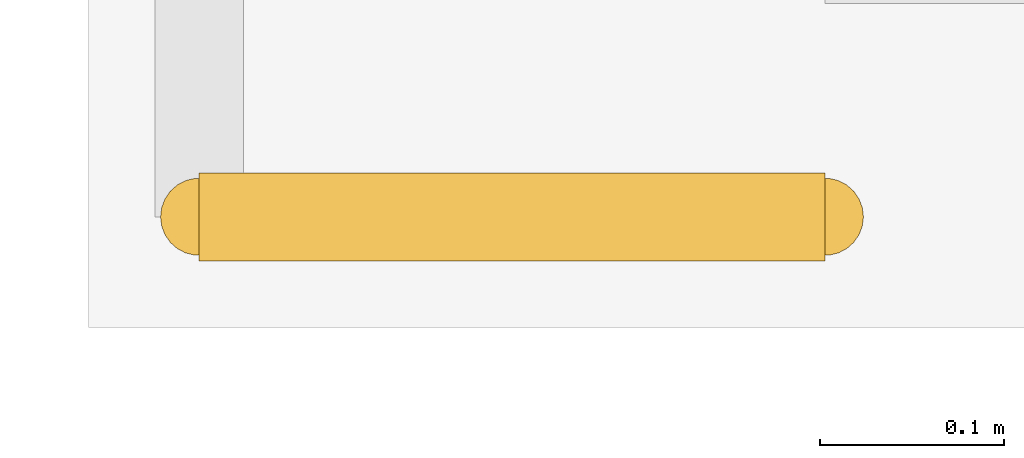
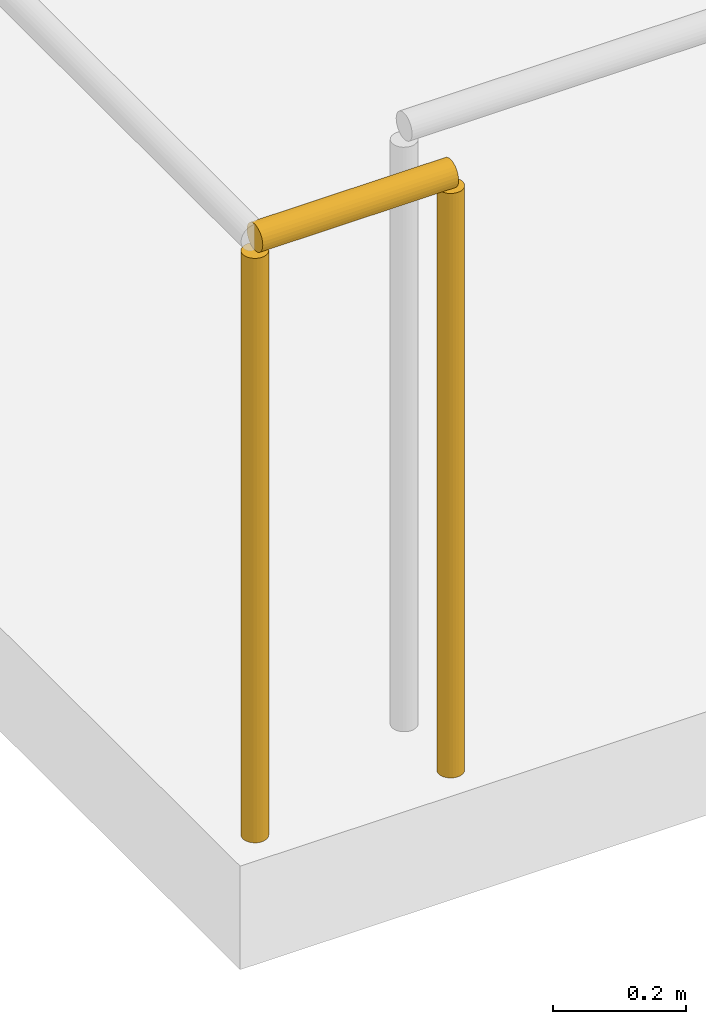
# One storey, part 125 of 143: 1 railing.
"""IFC4 building model written with IfcOpenShell, lengths in metres."""

from ifc_helpers import new_model, si_unit, direction, frame, origin, origin_2d, place, context, subcontext, project, spatial, circle, extrude, material, type_object, element, save


model = new_model("IFC4")

# Units and contexts
model_context = context("Model", 3, precision=1e-05, world=origin(), true_north=direction((0.0, 1.0)))
body_context = subcontext(model_context, "Body", "Model", "MODEL_VIEW")
ifc_project = project(units=[si_unit("LENGTHUNIT", "METRE"), si_unit("AREAUNIT", "SQUARE_METRE"), si_unit("VOLUMEUNIT", "CUBIC_METRE"), si_unit("PLANEANGLEUNIT", "RADIAN"), si_unit("MASSUNIT", "GRAM", prefix="KILO")], contexts=[model_context])

# Site, building, storey
site_placement = place(None, origin())
site = spatial("IfcSite", under=ifc_project, at=site_placement, CompositionType="ELEMENT")
building_placement = place(site_placement, origin())
building = spatial("IfcBuilding", under=site, at=building_placement, Name="Marlcrest Central Station", CompositionType="ELEMENT")
storey_placement = place(building_placement, frame((0.0, 0.0, 4.800048828125)))
storey = spatial("IfcBuildingStorey", under=building, at=storey_placement, Name="L01", CompositionType="ELEMENT", Elevation=4.800048828125)

# Railing
ifc_material = material(Name="Stainless steel and laminated glass concourse balustrade", Category="steel")
railing_type = type_object("IfcRailingType", Name="GR-02", PredefinedType="BALUSTRADE", material=ifc_material)
railing_placement = place(storey_placement, frame((0.39990234375, 92.260009765625, 0.0)))
element("IfcRailing", 1, at=railing_placement, inside=storey, type_object=railing_type, Name="hr-L01-00393", PredefinedType="BALUSTRADE", context=body_context, shape_type="SweptSolid", body=[
    extrude(circle(Radius=0.02392578125, at=origin_2d()), frame((0.0, 0.0, 1.09619140625), z_axis=(-1.0, 0.0, 0.0), x_axis=(0.0, -1.0, 0.0)), (0.0, 0.0, 1.0), 0.33984375),
    extrude(circle(Radius=0.02099609375, at=origin_2d()), origin(), (0.0, 0.0, 1.0), 1.072021484375),
    extrude(circle(Radius=0.02099609375, at=origin_2d()), frame((-0.33984375, 0.0, 0.0)), (0.0, 0.0, 1.0), 1.072021484375),
])

save(model, "model.ifc")
